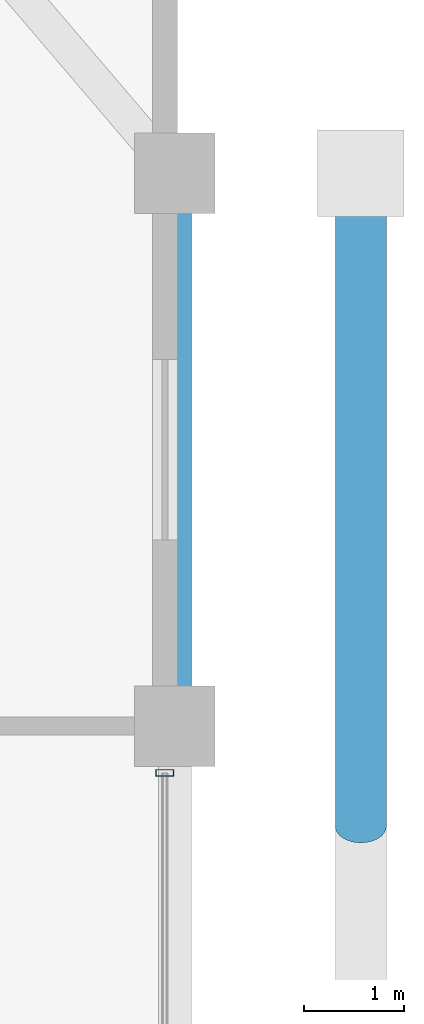
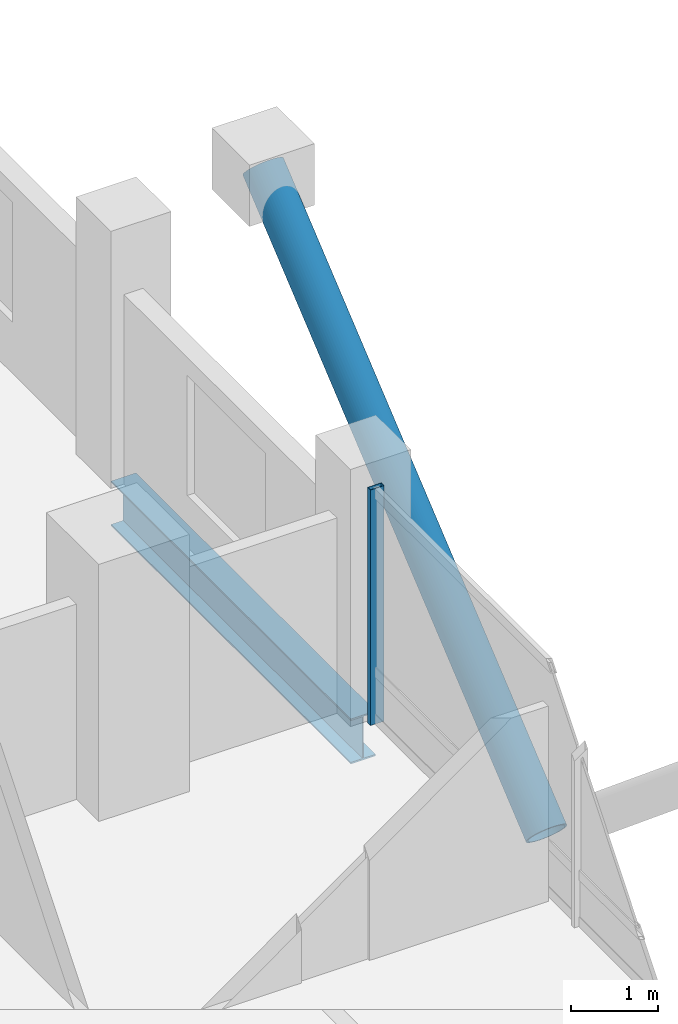
# One storey, part 15 of 23: 2 members, 1 beam, 1 element without a shape of its own.
"""IFC4 building model written with IfcOpenShell, lengths in metres."""

from ifc_helpers import new_model, si_unit, direction, frame, origin, origin_2d, place, context, subcontext, project, spatial, hollow_rectangle, hollow_circle, i_section, extrude, material, layer, layer_set, material_profile, profile_set, type_object, element, aggregate, save


model = new_model("IFC4")

# Units and contexts
model_context = context("Model", 3, precision=1e-05, world=origin(), true_north=direction((0.0, 1.0)))
body_context = subcontext(model_context, "Body", "Model", "MODEL_VIEW")
ifc_project = project(units=[si_unit("LENGTHUNIT", "METRE"), si_unit("AREAUNIT", "SQUARE_METRE"), si_unit("VOLUMEUNIT", "CUBIC_METRE"), si_unit("PLANEANGLEUNIT", "RADIAN"), si_unit("MASSUNIT", "GRAM", prefix="KILO")], contexts=[model_context])

# Site, building, storey
site_placement = place(None, origin())
site = spatial("IfcSite", under=ifc_project, at=site_placement, CompositionType="ELEMENT")
building_placement = place(site_placement, origin())
building = spatial("IfcBuilding", under=site, at=building_placement, Name="Barlavira Tower and Art Museum", CompositionType="ELEMENT")
storey_placement = place(building_placement, frame((0.0, 0.0, 117.0)))
storey = spatial("IfcBuildingStorey", under=building, at=storey_placement, Name="L29", CompositionType="ELEMENT", Elevation=117.0)

# Curtain wall, member
ifc_material_1 = material(Name="Low-iron coastal laminated glass", Category="glass")
ifc_layer = layer(ifc_material_1, 0.18994140625, Name="Low-iron coastal laminated glass")
ifc_layer_set = layer_set([ifc_layer], Name="Low-iron coastal laminated glass")
curtain_wall_type = type_object("IfcCurtainWallType", Name="Pale-Metal Unitised Curtain Wall Zone 2", PredefinedType="NOTDEFINED", material=ifc_layer_set)
curtain_wall_placement = place(storey_placement, origin())
curtain_wall = element("IfcCurtainWall", 1, at=curtain_wall_placement, inside=storey, type_object=curtain_wall_type, Name="L29 Curtain Wall CW2-L29-E-B3", PredefinedType="NOTDEFINED")
ifc_material_2 = material(Name="Pale anodised aluminium", Category="aluminium")
ifc_material_profile_1 = material_profile(ifc_material_2, hollow_rectangle(XDim=0.06494140625, YDim=0.179931640625, WallThickness=0.00390625, at=origin_2d()), Name="ALU-MULL 65x180x4")
ifc_profile_set_1 = profile_set([ifc_material_profile_1], Name="Pale anodised aluminium")
member_type_1 = type_object("IfcMemberType", Name="Curtain Wall Pale-Metal Mullion 65x180", PredefinedType="MULLION", material=ifc_profile_set_1)
member_1_placement = place(storey_placement, frame((20.14990234375, 7.034912109375, 0.0), z_axis=(0.0, 0.0, 1.0), x_axis=(0.0, 1.0, 0.0)))
member_1 = element("IfcMember", 2, at=member_1_placement, type_object=member_type_1, Name="CW2-L29-E-B3 Mullion 3", PredefinedType="MULLION", context=body_context, shape_type="SweptSolid", body=[
    extrude(hollow_rectangle(XDim=0.06494140625, YDim=0.179931640625, WallThickness=0.00390625, at=origin_2d()), origin(), (0.0, 0.0, 1.0), 3.300048828125),
])
aggregate(curtain_wall, [member_1])

# Member
ifc_material_3 = material(Name="Steel S355", Category="steel")
ifc_material_profile_2 = material_profile(ifc_material_3, hollow_circle(Radius=0.25390625, WallThickness=0.022216796875, at=origin_2d()), Name="CHS 508.0x22.2")
ifc_profile_set_2 = profile_set([ifc_material_profile_2], Name="Steel S355")
member_type_2 = type_object("IfcMemberType", Name="Pale-Metal Exoskeleton Diagrid Tube CHS 508x22 Steel S355", PredefinedType="BRACE", material=ifc_profile_set_2)
member_2_placement = place(storey_placement, frame((22.10009765625, 6.5, -1.919921875), z_axis=(0.0, 0.769196053329, 0.639012857104), x_axis=(-1.0, 0.0, 0.0)))
element("IfcMember", 3, at=member_2_placement, inside=storey, type_object=member_type_2, Name="L29 Exoskeleton Diagrid Tube E", PredefinedType="BRACE", context=body_context, shape_type="SweptSolid", body=[
    extrude(hollow_circle(Radius=0.25390625, WallThickness=0.022216796875, at=origin_2d()), origin(), (0.0, 0.0, 1.0), 8.450439453125),
])

# Beam
ifc_material_profile_3 = material_profile(ifc_material_3, i_section(OverallWidth=0.327880859375, OverallDepth=0.62890625, WebThickness=0.013916015625, FlangeThickness=0.021484375, at=origin_2d()), Name="W610x174.0")
ifc_profile_set_3 = profile_set([ifc_material_profile_3], Name="Steel S355")
beam_type = type_object("IfcBeamType", Name="Perimeter Spandrel Edge Beam W610x174 Steel S355", PredefinedType="SPANDREL", material=ifc_profile_set_3)
beam_placement = place(storey_placement, frame((20.25, 7.5, -0.534423828125), z_axis=(0.0, 1.0, 0.0), x_axis=(-1.0, 0.0, 0.0)))
element("IfcBeam", 4, at=beam_placement, inside=storey, type_object=beam_type, Name="L29 Spandrel 7", PredefinedType="SPANDREL", context=body_context, shape_type="SweptSolid", body=[
    extrude(i_section(OverallWidth=0.327880859375, OverallDepth=0.62890625, WebThickness=0.013916015625, FlangeThickness=0.021484375, at=origin_2d()), origin(), (0.0, 0.0, 1.0), 5.5),
])

save(model, "model.ifc")
